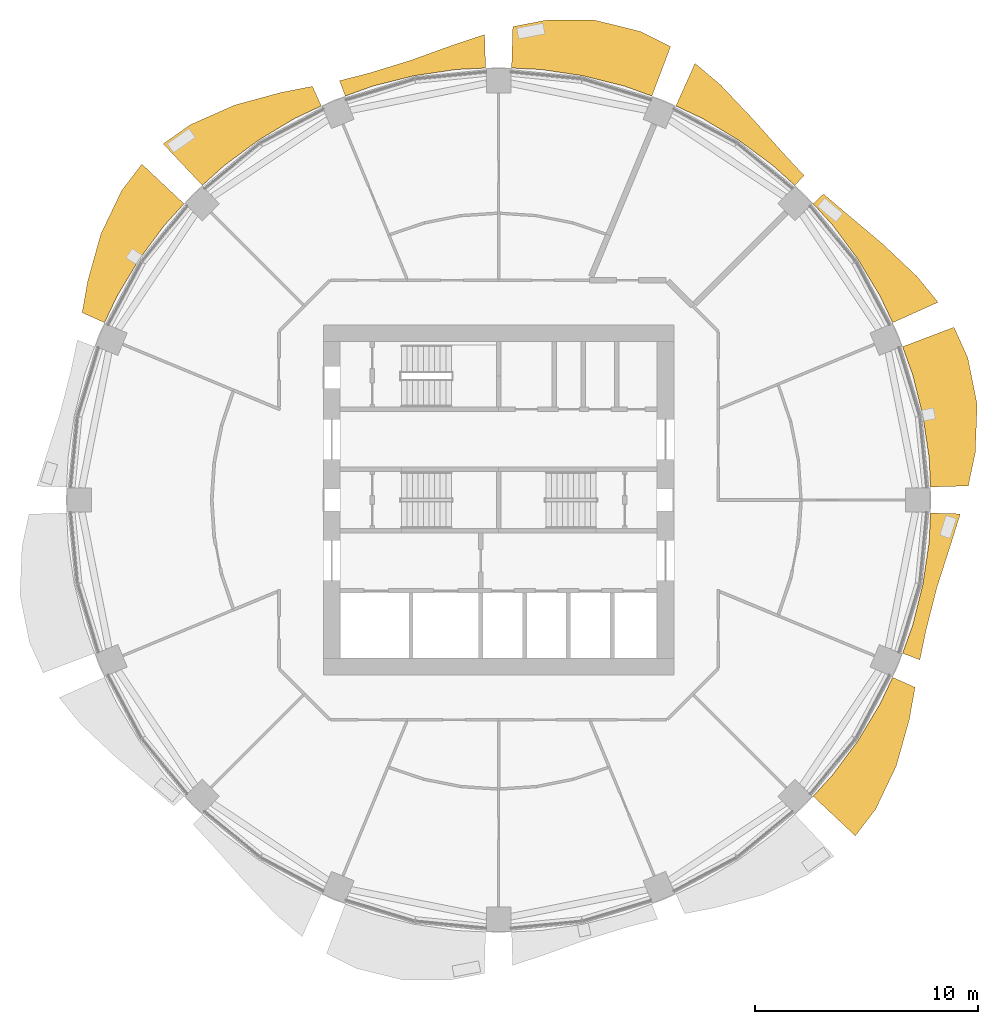
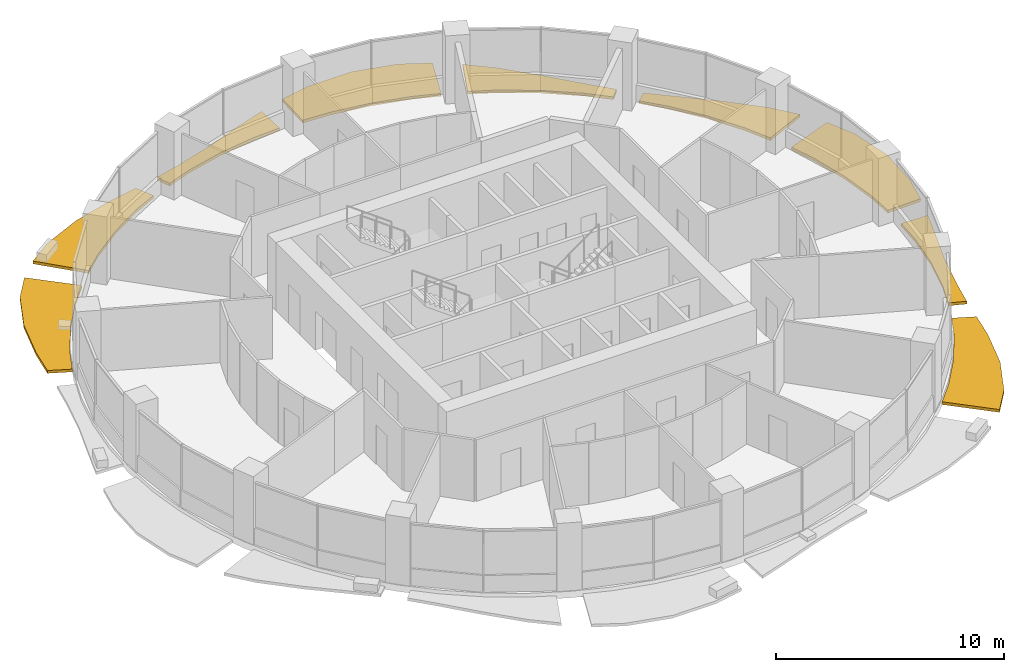
# One storey, part 14 of 15: 9 shading devices.
"""IFC4 building model written with IfcOpenShell, lengths in metres."""

from ifc_helpers import new_model, si_unit, direction, frame, origin, place, context, subcontext, project, spatial, polyline, outline, extrude, material, type_object, element, save


model = new_model("IFC4")

# Units and contexts
model_context = context("Model", 3, precision=1e-05, world=origin(), true_north=direction((0.0, 1.0)))
body_context = subcontext(model_context, "Body", "Model", "MODEL_VIEW")
ifc_project = project(units=[si_unit("LENGTHUNIT", "METRE"), si_unit("AREAUNIT", "SQUARE_METRE"), si_unit("VOLUMEUNIT", "CUBIC_METRE"), si_unit("PLANEANGLEUNIT", "RADIAN"), si_unit("MASSUNIT", "GRAM", prefix="KILO")], contexts=[model_context])

# Site, building, storey
site_placement = place(None, origin())
site = spatial("IfcSite", under=ifc_project, at=site_placement, CompositionType="ELEMENT")
building_placement = place(site_placement, origin())
building = spatial("IfcBuilding", under=site, at=building_placement, Name="Polderwave Tower", CompositionType="ELEMENT")
storey_placement = place(building_placement, frame((0.0, 0.0, 72.75)))
storey = spatial("IfcBuildingStorey", under=building, at=storey_placement, Name="L18", CompositionType="ELEMENT", Elevation=72.75)

# Shading devices
ifc_material = material(Name="Terracotta", Category="masonry")
shading_device_type = type_object("IfcShadingDeviceType", Name="Terracotta sunshade band", PredefinedType="USERDEFINED", material=ifc_material)
shading_device_1_placement = place(storey_placement, frame((0.0, 0.0, -0.35009765625)))
element("IfcShadingDevice", 1, at=shading_device_1_placement, inside=storey, type_object=shading_device_type, Name="Sunshade band L18 1", ObjectType="SUNSHADE", PredefinedType="USERDEFINED", context=body_context, shape_type="SweptSolid", body=[
    extrude(outline(polyline([(19.411376953125, 0.583740234375), (19.346435546875, 1.905517578125), (19.06640625, 3.79248046875), (18.602783203125, 5.64306640625), (18.156982421875, 6.88916015625), (20.464111328125, 7.764404296875), (21.0849609375, 6.39599609375), (21.507080078125, 4.278076171875), (21.419921875, 2.109619140625), (21.1064453125, 0.634765625), (19.411376953125, 0.583740234375)])), origin(), (0.0, 0.0, 1.0), 0.150146484375),
])
shading_device_2_placement = place(storey_placement, frame((0.0, 0.0, -0.35009765625)))
element("IfcShadingDevice", 2, at=shading_device_2_placement, inside=storey, type_object=shading_device_type, Name="Sunshade band L18 2", ObjectType="SUNSHADE", PredefinedType="USERDEFINED", context=body_context, shape_type="SweptSolid", body=[
    extrude(outline(polyline([(17.710205078125, 7.9677734375), (17.14453125, 9.1640625), (16.163818359375, 10.80029296875), (15.02734375, 12.33251953125), (14.138671875, 13.31298828125), (14.600830078125, 13.748291015625), (15.659912109375, 12.851806640625), (17.24169921875, 11.5205078125), (18.7998046875, 10.048828125), (19.74951171875, 8.885009765625), (17.710205078125, 7.9677734375)])), origin(), (0.0, 0.0, 1.0), 0.150146484375),
])
shading_device_3_placement = place(storey_placement, frame((0.0, 0.0, -0.35009765625)))
element("IfcShadingDevice", 3, at=shading_device_3_placement, inside=storey, type_object=shading_device_type, Name="Sunshade band L18 3", ObjectType="SUNSHADE", PredefinedType="USERDEFINED", context=body_context, shape_type="SweptSolid", body=[
    extrude(outline(polyline([(13.31298828125, 14.138671875), (12.33251953125, 15.02734375), (10.80029296875, 16.163818359375), (9.1640625, 17.14453125), (7.9677734375, 17.710205078125), (8.828125, 19.623291015625), (9.970947265625, 18.654296875), (11.43408203125, 17.1123046875), (12.792236328125, 15.58740234375), (13.7275390625, 14.578857421875), (13.31298828125, 14.138671875)])), origin(), (0.0, 0.0, 1.0), 0.150146484375),
])
shading_device_4_placement = place(storey_placement, frame((0.0, 0.0, -0.35009765625)))
element("IfcShadingDevice", 4, at=shading_device_4_placement, inside=storey, type_object=shading_device_type, Name="Sunshade band L18 4", ObjectType="SUNSHADE", PredefinedType="USERDEFINED", context=body_context, shape_type="SweptSolid", body=[
    extrude(outline(polyline([(6.88916015625, 18.156982421875), (5.64306640625, 18.602783203125), (3.79248046875, 19.06640625), (1.905517578125, 19.346435546875), (0.583740234375, 19.411376953125), (0.6396484375, 21.272216796875), (2.123291015625, 21.559326171875), (4.29052734375, 21.5703125), (6.386474609375, 21.053466796875), (7.73046875, 20.37451171875), (6.88916015625, 18.156982421875)])), origin(), (0.0, 0.0, 1.0), 0.150146484375),
])
shading_device_5_placement = place(storey_placement, frame((0.0, 0.0, -0.35009765625)))
element("IfcShadingDevice", 5, at=shading_device_5_placement, inside=storey, type_object=shading_device_type, Name="Sunshade band L18 5", ObjectType="SUNSHADE", PredefinedType="USERDEFINED", context=body_context, shape_type="SweptSolid", body=[
    extrude(outline(polyline([(-0.583740234375, 19.411376953125), (-1.905517578125, 19.346435546875), (-3.79248046875, 19.06640625), (-5.64306640625, 18.602783203125), (-6.88916015625, 18.156982421875), (-7.14892578125, 18.842041015625), (-5.819091796875, 19.18310546875), (-3.931396484375, 19.764404296875), (-2.014892578125, 20.45751953125), (-0.62890625, 20.914794921875), (-0.583740234375, 19.411376953125)])), origin(), (0.0, 0.0, 1.0), 0.150146484375),
])
shading_device_6_placement = place(storey_placement, frame((0.0, 0.0, -0.35009765625)))
element("IfcShadingDevice", 6, at=shading_device_6_placement, inside=storey, type_object=shading_device_type, Name="Sunshade band L18 6", ObjectType="SUNSHADE", PredefinedType="USERDEFINED", context=body_context, shape_type="SweptSolid", body=[
    extrude(outline(polyline([(-7.9677734375, 17.710205078125), (-9.1640625, 17.14453125), (-10.80029296875, 16.163818359375), (-12.33251953125, 15.02734375), (-13.31298828125, 14.138671875), (-15.071533203125, 16.006103515625), (-13.843505859375, 16.868408203125), (-11.85791015625, 17.74658203125), (-9.78759765625, 18.311279296875), (-8.36328125, 18.58935546875), (-7.9677734375, 17.710205078125)])), origin(), (0.0, 0.0, 1.0), 0.150146484375),
])
shading_device_7_placement = place(storey_placement, frame((0.0, 0.0, -0.35009765625)))
element("IfcShadingDevice", 7, at=shading_device_7_placement, inside=storey, type_object=shading_device_type, Name="Sunshade band L18 7", ObjectType="SUNSHADE", PredefinedType="USERDEFINED", context=body_context, shape_type="SweptSolid", body=[
    extrude(outline(polyline([(-14.138671875, 13.31298828125), (-15.02734375, 12.33251953125), (-16.163818359375, 10.80029296875), (-17.14453125, 9.1640625), (-17.710205078125, 7.9677734375), (-18.7158203125, 8.419921875), (-18.45703125, 9.865478515625), (-17.8759765625, 11.9443359375), (-16.94091796875, 13.90283203125), (-16.0283203125, 15.09228515625), (-14.138671875, 13.31298828125)])), origin(), (0.0, 0.0, 1.0), 0.150146484375),
])
shading_device_8_placement = place(storey_placement, frame((0.0, 0.0, -0.35009765625)))
element("IfcShadingDevice", 8, at=shading_device_8_placement, inside=storey, type_object=shading_device_type, Name="Sunshade band L18 15", ObjectType="SUNSHADE", PredefinedType="USERDEFINED", context=body_context, shape_type="SweptSolid", body=[
    extrude(outline(polyline([(14.138671875, -13.31298828125), (15.02734375, -12.33251953125), (16.163818359375, -10.80029296875), (17.14453125, -9.1640625), (17.710205078125, -7.9677734375), (18.7158203125, -8.419921875), (18.45703125, -9.865478515625), (17.8759765625, -11.9443359375), (16.94091796875, -13.90283203125), (16.0283203125, -15.09228515625), (14.138671875, -13.31298828125)])), origin(), (0.0, 0.0, 1.0), 0.150146484375),
])
shading_device_9_placement = place(storey_placement, frame((0.0, 0.0, -0.35009765625)))
element("IfcShadingDevice", 9, at=shading_device_9_placement, inside=storey, type_object=shading_device_type, Name="Sunshade band L18 16", ObjectType="SUNSHADE", PredefinedType="USERDEFINED", context=body_context, shape_type="SweptSolid", body=[
    extrude(outline(polyline([(18.156982421875, -6.88916015625), (18.602783203125, -5.64306640625), (19.06640625, -3.79248046875), (19.346435546875, -1.905517578125), (19.411376953125, -0.583740234375), (20.7490234375, -0.623779296875), (20.318115234375, -2.001220703125), (19.701171875, -3.918701171875), (19.214599609375, -5.82861328125), (18.931640625, -7.18310546875), (18.156982421875, -6.88916015625)])), origin(), (0.0, 0.0, 1.0), 0.150146484375),
])

save(model, "model.ifc")
